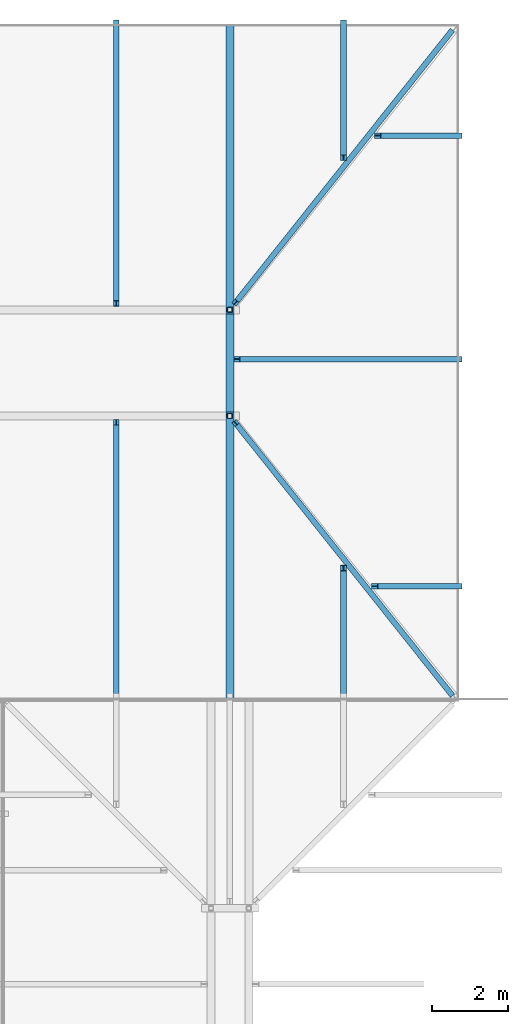
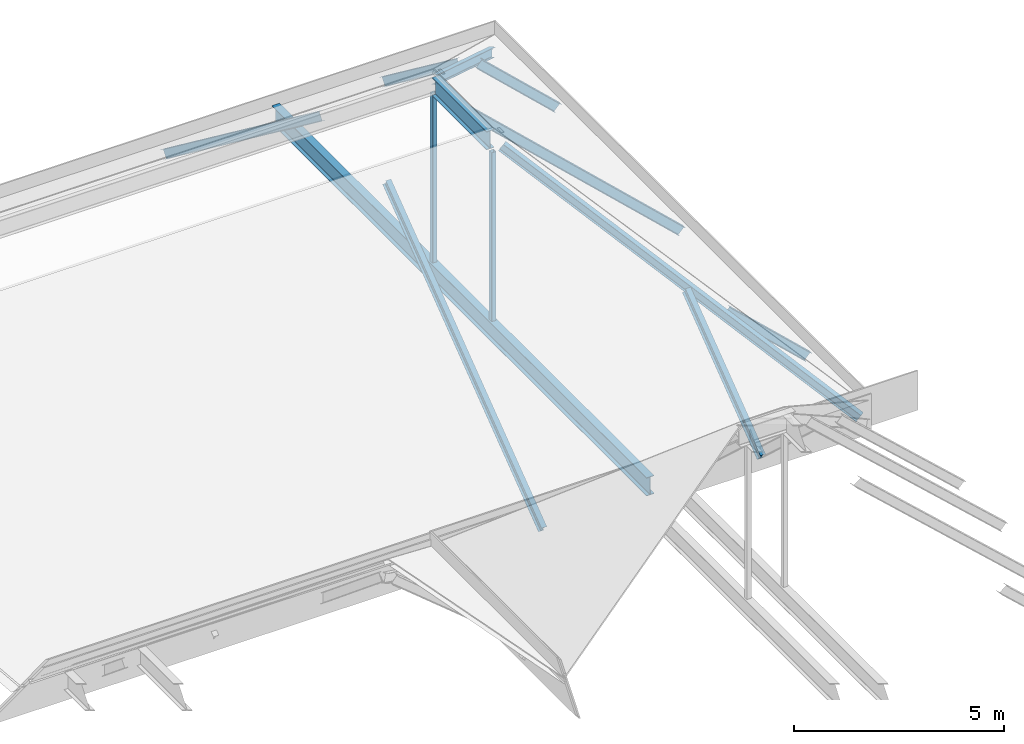
# One storey, part 33 of 57: 11 members, 2 beams.
"""IFC4 building model written with IfcOpenShell, lengths in metres."""

import ifcopenshell
import ifcopenshell.guid

model = None  # the IFC model being written
_history = None  # IfcOwnerHistory: only IFC2X3 demands one
_inside = {}  # id of a spatial element -> (the spatial element, [elements in it])
_under = {}  # id of a project, library or spatial element -> (it, [spatial elements below it])
_declared = {}  # id of a project -> (the project, [libraries it declares])
_typed = {}  # id of a type object -> (the type object, [elements of that type])
_made_of = {}  # id of a material, layer set ... -> (it, [elements and type objects made of it])


def new_model(schema):
    """Start an empty IFC model of exactly this schema.

    Asked for "IFC4X3", IfcOpenShell would pick the latest addendum, in which some entities
    have other attributes; the version numbers below select the first issue.
    IFC2X3 requires an IfcOwnerHistory on every rooted entity: one is made here for all.
    """
    global model, _history
    if schema == "IFC4X3":
        model = ifcopenshell.file(schema_version=(4, 3, 0, 0))
    else:
        model = ifcopenshell.file(schema=schema)
    _inside.clear()
    _under.clear()
    _declared.clear()
    _typed.clear()
    _made_of.clear()
    _history = None
    if model.schema == "IFC2X3":
        org = make("IfcOrganization", Name="unknown")
        user = make(
            "IfcPersonAndOrganization",
            ThePerson=make("IfcPerson", FamilyName="unknown"),
            TheOrganization=org,
        )
        app = make(
            "IfcApplication",
            ApplicationDeveloper=org,
            Version="unknown",
            ApplicationFullName="unknown",
            ApplicationIdentifier="unknown",
        )
        _history = make(
            "IfcOwnerHistory",
            OwningUser=user,
            OwningApplication=app,
            ChangeAction="ADDED",
            CreationDate=0,
        )
    return model


def make(cls, **values):
    """One entity of the class cls with the attributes given. An attribute that is None is left unset."""
    return model.create_entity(
        cls, **{name: value for name, value in values.items() if value is not None}
    )


def rooted(cls, **values):
    """An entity with a GlobalId (a new one), such as an element, a storey or a relation."""
    return make(cls, GlobalId=ifcopenshell.guid.new(), OwnerHistory=_history, **values)


def si_unit(unit_type, name, prefix=None):
    """IfcSIUnit, for example si_unit("LENGTHUNIT", "METRE", prefix="MILLI")."""
    return make("IfcSIUnit", UnitType=unit_type, Prefix=prefix, Name=name)


def assignment(units):
    """IfcUnitAssignment: the units of a project."""
    return None if units is None else make("IfcUnitAssignment", Units=units)


def point(xyz):
    """IfcCartesianPoint."""
    return None if xyz is None else make("IfcCartesianPoint", Coordinates=xyz)


def direction(xyz):
    """IfcDirection."""
    return None if xyz is None else make("IfcDirection", DirectionRatios=xyz)


def frame(location, z_axis=None, x_axis=None):
    """IfcAxis2Placement3D, a coordinate frame: its origin and axes. An axis left out is left unset."""
    return make(
        "IfcAxis2Placement3D",
        Location=point(location),
        Axis=direction(z_axis),
        RefDirection=direction(x_axis),
    )


def frame_2d(location, x_axis=None):
    """IfcAxis2Placement2D, a coordinate frame in the plane: its origin and x axis."""
    return make(
        "IfcAxis2Placement2D", Location=point(location), RefDirection=direction(x_axis)
    )


def origin():
    """The frame at (0, 0, 0) with its axes left unset."""
    return frame((0.0, 0.0, 0.0))


def origin_2d():
    """The frame at (0, 0) in the plane with its x axis left unset."""
    return frame_2d((0.0, 0.0))


def place(relative_to, where):
    """IfcLocalPlacement: puts the frame where relative to a parent placement (None: the world)."""
    return make(
        "IfcLocalPlacement", PlacementRelTo=relative_to, RelativePlacement=where
    )


def context(
    kind, dimensions, precision=None, world=None, true_north=None, identifier=None
):
    """IfcGeometricRepresentationContext, for example the 3D "Model" context."""
    return make(
        "IfcGeometricRepresentationContext",
        ContextIdentifier=identifier,
        ContextType=kind,
        CoordinateSpaceDimension=dimensions,
        Precision=precision,
        WorldCoordinateSystem=world,
        TrueNorth=true_north,
    )


def subcontext(parent, identifier, kind, view, scale=None):
    """IfcGeometricRepresentationSubContext, for example "Body" below "Model"."""
    return make(
        "IfcGeometricRepresentationSubContext",
        ContextIdentifier=identifier,
        ContextType=kind,
        ParentContext=parent,
        TargetScale=scale,
        TargetView=view,
    )


def project(units=None, contexts=None):
    """IfcProject with its units and contexts."""
    return rooted(
        "IfcProject",
        Name="project",
        RepresentationContexts=contexts,
        UnitsInContext=assignment(units),
    )


def spatial(cls, under=None, at=None, **own):
    """A site, building, storey or space (cls), placed at a placement, below another one or the project."""
    s = rooted(cls, ObjectPlacement=at, **own)
    if under is not None:
        _under.setdefault(under.id(), (under, []))[1].append(s)
    return s


def profile(cls, at=None, kind="AREA", **sizes):
    """A parametric profile (cls). Its sizes go by their IFC names, for example OverallWidth=200.0."""
    return make(cls, ProfileType=kind, Position=at, **sizes)


def hollow_rectangle(**sizes):
    """IfcRectangleHollowProfileDef."""
    return profile("IfcRectangleHollowProfileDef", **sizes)


def i_section(**sizes):
    """IfcIShapeProfileDef."""
    return profile("IfcIShapeProfileDef", **sizes)


def extrude(swept, where, along, depth):
    """IfcExtrudedAreaSolid: the profile swept, set in the frame where, extruded along a direction by depth."""
    return make(
        "IfcExtrudedAreaSolid",
        SweptArea=swept,
        Position=where,
        ExtrudedDirection=direction(along),
        Depth=depth,
    )


def shape(context_of_items, identifier, shape_type, items):
    """IfcShapeRepresentation: the items that make up one representation, for example the "Body"."""
    return make(
        "IfcShapeRepresentation",
        ContextOfItems=context_of_items,
        RepresentationIdentifier=identifier,
        RepresentationType=shape_type,
        Items=items,
    )


def material(Name=None, Category=None):
    """IfcMaterial."""
    return make("IfcMaterial", Name=Name, Category=Category)


def material_profile(
    of_material, cross_section, Name=None, Category=None, Priority=None
):
    """IfcMaterialProfile: a cross section and its material."""
    return make(
        "IfcMaterialProfile",
        Name=Name,
        Material=of_material,
        Profile=cross_section,
        Priority=Priority,
        Category=Category,
    )


def profile_set(profiles, Name=None, composite=None):
    """IfcMaterialProfileSet."""
    return make(
        "IfcMaterialProfileSet",
        Name=Name,
        MaterialProfiles=profiles,
        CompositeProfile=composite,
    )


def made_of(thing, what):
    """Note that an element or type object is made of a material, layer set ...; save() writes the relation."""
    if what is not None:
        _made_of.setdefault(what.id(), (what, []))[1].append(thing)
    return thing


def type_object(cls, material=None, **own):
    """A type object (cls), such as IfcWallType, which elements share."""
    return made_of(rooted(cls, **own), material)


def element(
    cls,
    number,
    at=None,
    inside=None,
    cuts=None,
    type_object=None,
    material=None,
    context=None,
    identifier="Body",
    shape_type=None,
    held_by="IfcProductDefinitionShape",
    body=None,
    shapes=None,
    **own,
):
    """One element of the class cls, such as IfcWall. Its Tag is "e" and its number.

    at: its placement. inside: the storey or other place that contains it. cuts: it is an
    opening in that element (IfcRelVoidsElement). A single representation is given by context,
    identifier, shape_type and body (its items); several are given by shapes. held_by: the class
    of the entity that holds the representations. save() writes the other relations.
    """
    e = rooted(cls, Tag="e%d" % number, ObjectPlacement=at, **own)
    if body is not None:
        shapes = [shape(context, identifier, shape_type, body)]
    if shapes is not None:
        e.Representation = make(held_by, Representations=shapes)
    if inside is not None:
        _inside.setdefault(inside.id(), (inside, []))[1].append(e)
    if cuts is not None:
        rooted(
            "IfcRelVoidsElement", RelatingBuildingElement=cuts, RelatedOpeningElement=e
        )
    if type_object is not None:
        _typed.setdefault(type_object.id(), (type_object, []))[1].append(e)
    return made_of(e, material)


def aggregate(whole, parts):
    """IfcRelAggregates: a whole, such as a stair, and the parts it consists of."""
    return rooted("IfcRelAggregates", RelatingObject=whole, RelatedObjects=parts)


def save(model, path):
    """Write the relations noted so far, then the file.

    IfcRelAggregates (storeys below a building ...), IfcRelContainedInSpatialStructure (elements
    in a storey), IfcRelDefinesByType, IfcRelAssociatesMaterial and IfcRelDeclares: one each for
    every whole, place, type object, material and project.
    """
    for whole, parts in _under.values():
        aggregate(whole, parts)
    for where, things in _inside.values():
        rooted(
            "IfcRelContainedInSpatialStructure",
            RelatedElements=things,
            RelatingStructure=where,
        )
    for kind, things in _typed.values():
        rooted("IfcRelDefinesByType", RelatedObjects=things, RelatingType=kind)
    for what, things in _made_of.values():
        rooted("IfcRelAssociatesMaterial", RelatedObjects=things, RelatingMaterial=what)
    for by, libraries in _declared.values():
        rooted("IfcRelDeclares", RelatingContext=by, RelatedDefinitions=libraries)
    model.write(path)


model = new_model("IFC4")

# Units and contexts
model_context = context("Model", 3, precision=1e-05, world=origin(), true_north=direction((0.0, 1.0)))
body_context = subcontext(model_context, "Body", "Model", "MODEL_VIEW")
ifc_project = project(units=[si_unit("LENGTHUNIT", "METRE"), si_unit("AREAUNIT", "SQUARE_METRE"), si_unit("VOLUMEUNIT", "CUBIC_METRE"), si_unit("PLANEANGLEUNIT", "RADIAN"), si_unit("MASSUNIT", "GRAM", prefix="KILO")], contexts=[model_context])

# Site, building, storey
site_placement = place(None, origin())
site = spatial("IfcSite", under=ifc_project, at=site_placement, CompositionType="ELEMENT")
building_placement = place(site_placement, origin())
building = spatial("IfcBuilding", under=site, at=building_placement, Name="Saffron Lane Theatres", CompositionType="ELEMENT")
storey_placement = place(building_placement, frame((0.0, 0.0, 28.0)))
storey = spatial("IfcBuildingStorey", under=building, at=storey_placement, Name="Upper Roof", CompositionType="ELEMENT", Elevation=28.0)

# Beams
ifc_material_1 = material(Name="Steel Grade 350", Category="steel")
ifc_material_profile_1 = material_profile(ifc_material_1, i_section(OverallWidth=0.208984375, OverallDepth=0.532958984375, WebThickness=0.01025390625, FlangeThickness=0.015625, FilletRadius=0.013916015625, at=origin_2d()))
ifc_profile_set_1 = profile_set([ifc_material_profile_1], Name="Steel Grade 350")
beam_type = type_object("IfcBeamType", Name="ST-CROWN GIRDER 530UB92.4", PredefinedType="BEAM", material=ifc_profile_set_1)
beam_1_placement = place(storey_placement, frame((48.0, 115.6044921875, 5.693115234375), z_axis=(0.0, 1.0, 0.0), x_axis=(-1.0, 0.0, 0.0)))
element("IfcBeam", 1, at=beam_1_placement, inside=storey, type_object=beam_type, Name="BK4-C4", PredefinedType="BEAM", context=body_context, shape_type="SweptSolid", body=[
    extrude(i_section(OverallWidth=0.208984375, OverallDepth=0.532958984375, WebThickness=0.01025390625, FlangeThickness=0.015625, FilletRadius=0.013916015625, at=origin_2d()), origin(), (0.0, 0.0, 1.0), 2.591064453125),
])
beam_2_placement = place(storey_placement, frame((48.0, 108.0, 0.2666015625), z_axis=(0.0, 1.0, 0.0), x_axis=(-1.0, 0.0, 0.0)))
element("IfcBeam", 2, at=beam_2_placement, inside=storey, type_object=beam_type, Name="BK4-G2", PredefinedType="BEAM", context=body_context, shape_type="SweptSolid", body=[
    extrude(i_section(OverallWidth=0.208984375, OverallDepth=0.532958984375, WebThickness=0.01025390625, FlangeThickness=0.015625, FilletRadius=0.013916015625, at=origin_2d()), origin(), (0.0, 0.0, 1.0), 17.800048828125),
])

# Members
ifc_material_2 = material(Name="Steel Grade 350", Category="steel")
ifc_material_profile_2 = material_profile(ifc_material_2, i_section(OverallWidth=0.14599609375, OverallDepth=0.251953125, WebThickness=0.006103515625, FlangeThickness=0.008544921875, FilletRadius=0.011962890625, at=origin_2d()))
ifc_profile_set_2 = profile_set([ifc_material_profile_2], Name="Steel Grade 350")
member_type_1 = type_object("IfcMemberType", Name="ST-HIP RAFTER 250UB31.4", PredefinedType="RAFTER", material=ifc_profile_set_2)
for number, where, z_axis, x_axis, name in (
    (3, (53.8369140625, 108.1630859375, 0.111083984375), (-0.532711175397, 0.66961694115, 0.517524835861), (-0.782566130455, -0.6225674674, 0.0), "BK4-H3"),
    (4, (53.8369140625, 125.636962890625, 0.111083984375), (-0.532711175397, -0.66961694115, 0.517524835861), (0.782566130455, -0.6225674674, 0.0), "BK4-H4"),
):
    element("IfcMember", number, at=place(storey_placement, frame(where, z_axis=z_axis, x_axis=x_axis)), inside=storey, type_object=member_type_1, Name=name, PredefinedType="RAFTER", context=body_context, shape_type="SweptSolid", body=[
        extrude(i_section(OverallWidth=0.14599609375, OverallDepth=0.251953125, WebThickness=0.006103515625, FlangeThickness=0.008544921875, FilletRadius=0.011962890625, at=origin_2d()), origin(), (0.0, 0.0, 1.0), 10.6748046875),
    ])
ifc_material_3 = material(Name="Steel Grade 350", Category="steel")
ifc_material_profile_3 = material_profile(ifc_material_3, i_section(OverallWidth=0.14599609375, OverallDepth=0.251953125, WebThickness=0.006103515625, FlangeThickness=0.008544921875, FilletRadius=0.011962890625, at=origin_2d()))
ifc_profile_set_3 = profile_set([ifc_material_profile_3], Name="Steel Grade 350")
member_type_2 = type_object("IfcMemberType", Name="ST-JACK RAFTER 250UB31.4", PredefinedType="RAFTER", material=ifc_profile_set_3)
for number, where, z_axis, x_axis, name in (
    (5, (45.0, 107.924072265625, 0.1005859375), (0.0, 0.798250727488, 0.602325307508), (-1.0, 0.0, 0.0), "BK4-K13"),
    (6, (45.0, 125.8759765625, 0.1005859375), (0.0, -0.798250727488, 0.602325307508), (1.0, 0.0, 0.0), "BK4-K14"),
):
    element("IfcMember", number, at=place(storey_placement, frame(where, z_axis=z_axis, x_axis=x_axis)), inside=storey, type_object=member_type_2, Name=name, PredefinedType="RAFTER", context=body_context, shape_type="SweptSolid", body=[
        extrude(i_section(OverallWidth=0.14599609375, OverallDepth=0.251953125, WebThickness=0.006103515625, FlangeThickness=0.008544921875, FilletRadius=0.011962890625, at=origin_2d()), origin(), (0.0, 0.0, 1.0), 9.279541015625),
    ])
member_1_placement = place(storey_placement, frame((51.0, 107.924072265625, 0.1005859375), z_axis=(0.0, 0.798249719745, 0.602326643049), x_axis=(-1.0, 0.0, 0.0)))
element("IfcMember", 7, at=member_1_placement, inside=storey, type_object=member_type_2, Name="BK4-K15", PredefinedType="RAFTER", context=body_context, shape_type="SweptSolid", body=[
    extrude(i_section(OverallWidth=0.14599609375, OverallDepth=0.251953125, WebThickness=0.006103515625, FlangeThickness=0.008544921875, FilletRadius=0.011962890625, at=origin_2d()), origin(), (0.0, 0.0, 1.0), 4.4609375),
])
member_2_placement = place(storey_placement, frame((51.0, 125.8759765625, 0.1005859375), z_axis=(0.0, -0.798269573299, 0.602300330687), x_axis=(1.0, 0.0, 0.0)))
element("IfcMember", 8, at=member_2_placement, inside=storey, type_object=member_type_2, Name="BK4-K16", PredefinedType="RAFTER", context=body_context, shape_type="SweptSolid", body=[
    extrude(i_section(OverallWidth=0.14599609375, OverallDepth=0.251953125, WebThickness=0.006103515625, FlangeThickness=0.008544921875, FilletRadius=0.011962890625, at=origin_2d()), origin(), (0.0, 0.0, 1.0), 4.461181640625),
])
member_3_placement = place(storey_placement, frame((54.041015625, 111.0, 0.091552734375), z_axis=(-0.727463782398, 0.0, 0.686146081603), x_axis=(0.0, -1.0, 0.0)))
element("IfcMember", 9, at=member_3_placement, inside=storey, type_object=member_type_2, Name="BK4-K18", PredefinedType="RAFTER", context=body_context, shape_type="SweptSolid", body=[
    extrude(i_section(OverallWidth=0.14599609375, OverallDepth=0.251953125, WebThickness=0.006103515625, FlangeThickness=0.008544921875, FilletRadius=0.011962890625, at=origin_2d()), origin(), (0.0, 0.0, 1.0), 3.049072265625),
])
member_4_placement = place(storey_placement, frame((54.041015625, 117.0, 0.091552734375), z_axis=(-0.727467551011, 0.0, 0.686142086033), x_axis=(0.0, -1.0, 0.0)))
element("IfcMember", 10, at=member_4_placement, inside=storey, type_object=member_type_2, Name="BK4-K20", PredefinedType="RAFTER", context=body_context, shape_type="SweptSolid", body=[
    extrude(i_section(OverallWidth=0.14599609375, OverallDepth=0.251953125, WebThickness=0.006103515625, FlangeThickness=0.008544921875, FilletRadius=0.011962890625, at=origin_2d()), origin(), (0.0, 0.0, 1.0), 8.05810546875),
])
member_5_placement = place(storey_placement, frame((54.041015625, 122.89990234375, 0.091552734375), z_axis=(-0.727448415077, 0.0, 0.686162373933), x_axis=(0.0, -1.0, 0.0)))
element("IfcMember", 11, at=member_5_placement, inside=storey, type_object=member_type_2, Name="BK4-K22", PredefinedType="RAFTER", context=body_context, shape_type="SweptSolid", body=[
    extrude(i_section(OverallWidth=0.14599609375, OverallDepth=0.251953125, WebThickness=0.006103515625, FlangeThickness=0.008544921875, FilletRadius=0.011962890625, at=origin_2d()), origin(), (0.0, 0.0, 1.0), 2.93896484375),
])
ifc_material_4 = material(Name="Steel Grade 350", Category="steel")
ifc_material_profile_4 = material_profile(ifc_material_4, hollow_rectangle(XDim=0.125, YDim=0.125, WallThickness=0.006103515625, InnerFilletRadius=0.0029296875, OuterFilletRadius=0.009033203125, at=origin_2d()))
ifc_profile_set_4 = profile_set([ifc_material_profile_4], Name="Steel Grade 350")
member_type_3 = type_object("IfcMemberType", Name="ST-STUDIO POST 125x125x6 SHS", PredefinedType="POST", material=ifc_profile_set_4)
for number, where, z_axis, x_axis, name in (
    (12, (48.0, 115.5, 0.532958984375), (0.0, 0.0, 1.0), (1.0, 0.0, 0.0), "BK4-P2-115.5"),
    (13, (48.0, 118.300048828125, 0.532958984375), (0.0, 0.0, 1.0), (1.0, 0.0, 0.0), "BK4-P2-118.3"),
):
    element("IfcMember", number, at=place(storey_placement, frame(where, z_axis=z_axis, x_axis=x_axis)), inside=storey, type_object=member_type_3, Name=name, PredefinedType="POST", context=body_context, shape_type="SweptSolid", body=[
        extrude(hollow_rectangle(XDim=0.125, YDim=0.125, WallThickness=0.006103515625, InnerFilletRadius=0.0029296875, OuterFilletRadius=0.009033203125, at=origin_2d()), origin(), (0.0, 0.0, 1.0), 4.8935546875),
    ])

save(model, "model.ifc")
